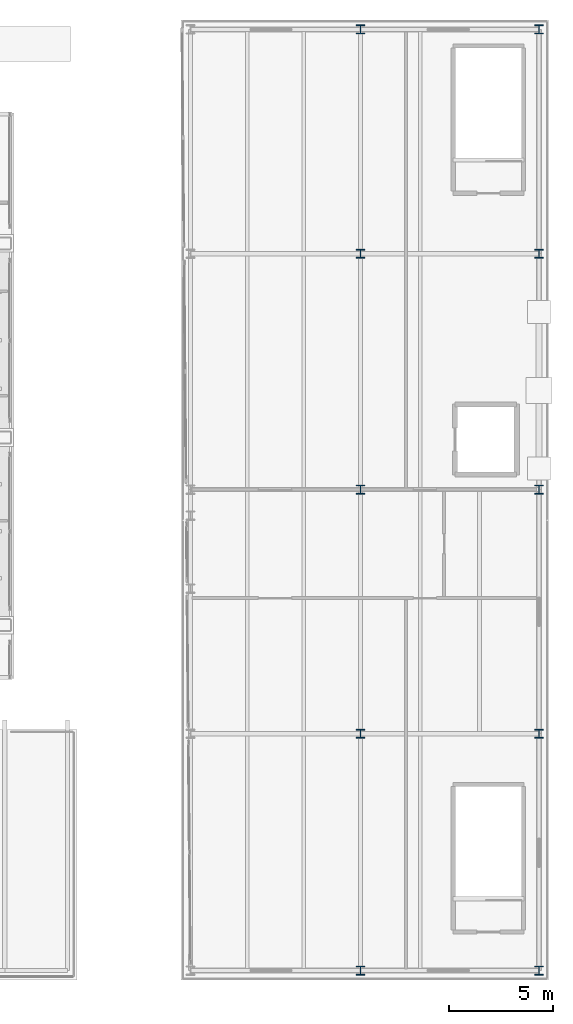
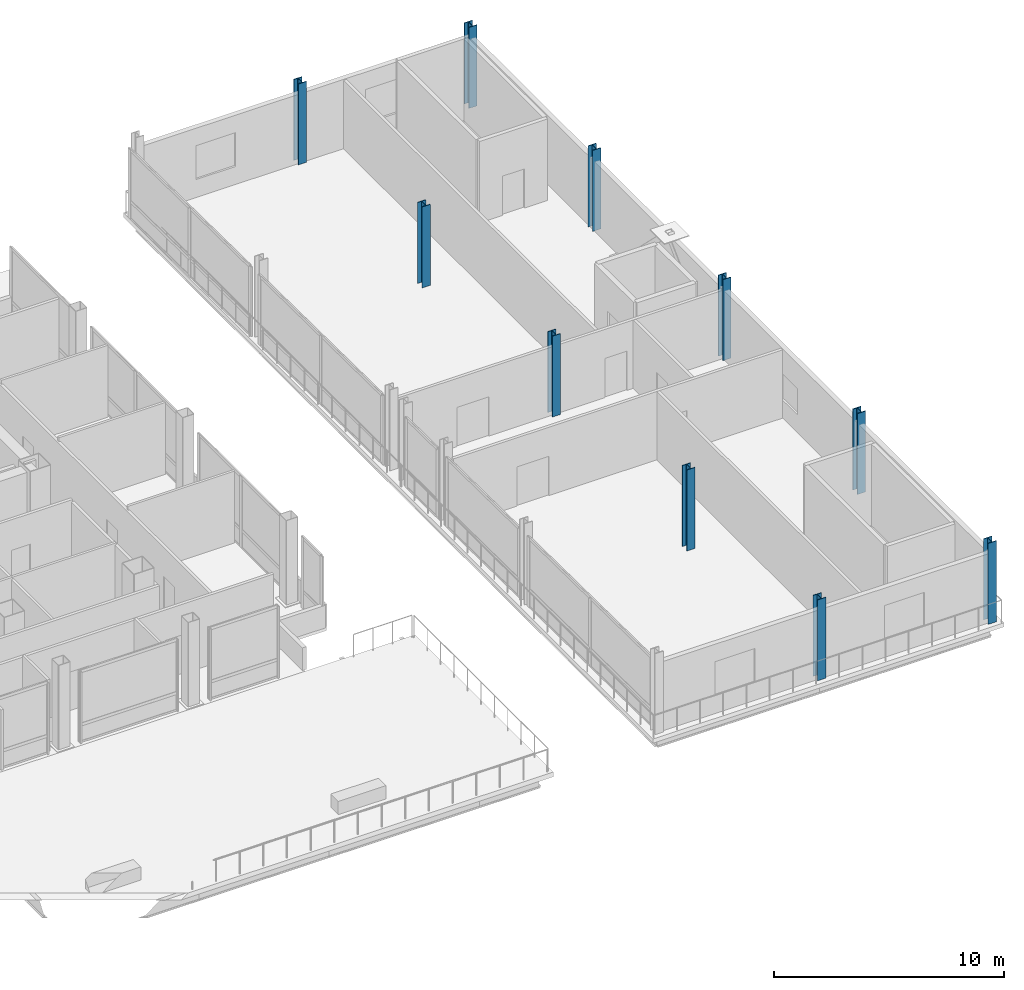
# One storey, part 3 of 34: 10 columns.
"""IFC4 building model written with IfcOpenShell, lengths in metres."""

from ifc_helpers import new_model, si_unit, direction, frame, origin, origin_2d, place, context, subcontext, project, spatial, i_section, extrude, material, material_profile, profile_set, type_object, element, save


model = new_model("IFC4")

# Units and contexts
model_context = context("Model", 3, precision=1e-05, world=origin(), true_north=direction((0.0, 1.0)))
body_context = subcontext(model_context, "Body", "Model", "MODEL_VIEW")
ifc_project = project(units=[si_unit("LENGTHUNIT", "METRE"), si_unit("AREAUNIT", "SQUARE_METRE"), si_unit("VOLUMEUNIT", "CUBIC_METRE"), si_unit("PLANEANGLEUNIT", "RADIAN"), si_unit("MASSUNIT", "GRAM", prefix="KILO")], contexts=[model_context])

# Site, building, storey
site_placement = place(None, origin())
site = spatial("IfcSite", under=ifc_project, at=site_placement, CompositionType="ELEMENT")
building_placement = place(site_placement, origin())
building = spatial("IfcBuilding", under=site, at=building_placement, Name="Noeulbin Bourse Tower", CompositionType="ELEMENT")
storey_placement = place(building_placement, frame((0.0, 0.0, 22.0)))
storey = spatial("IfcBuildingStorey", under=building, at=storey_placement, Name="L05", CompositionType="ELEMENT", Elevation=22.0)

# Columns
ifc_material = material(Name="Steel S355", Category="steel")
ifc_material_profile = material_profile(ifc_material, i_section(OverallWidth=0.406982421875, OverallDepth=0.427978515625, WebThickness=0.02001953125, FlangeThickness=0.034912109375, FilletRadius=0.02197265625, at=origin_2d()), Name="H-428x407x20x35", Category="LoadBearing")
ifc_profile_set = profile_set([ifc_material_profile], Name="Steel S355")
column_type = type_object("IfcColumnType", Name="COL-MKT-ST", PredefinedType="COLUMN", material=ifc_profile_set)
for number, where, z_axis, x_axis, name in (
    (1, (68.60009765625, 3.449951171875, 0.0), (0.0, 0.0, 1.0), (1.0, 0.0, 0.0), "Market Hall Column COL-MKT-ST 08"),
    (2, (68.60009765625, 14.800048828125, 0.0), (0.0, 0.0, 1.0), (1.0, 0.0, 0.0), "Market Hall Column COL-MKT-ST 09"),
    (3, (68.60009765625, 26.5, 0.0), (0.0, 0.0, 1.0), (1.0, 0.0, 0.0), "Market Hall Column COL-MKT-ST 10"),
    (4, (68.60009765625, 37.800048828125, 0.0), (0.0, 0.0, 1.0), (1.0, 0.0, 0.0), "Market Hall Column COL-MKT-ST 11"),
    (5, (68.60009765625, 48.550048828125, 0.0), (0.0, 0.0, 1.0), (1.0, 0.0, 0.0), "Market Hall Column COL-MKT-ST 12"),
    (6, (77.14990234375, 3.449951171875, 0.0), (0.0, 0.0, 1.0), (1.0, 0.0, 0.0), "Market Hall Column COL-MKT-ST 13"),
    (7, (77.14990234375, 14.800048828125, 0.0), (0.0, 0.0, 1.0), (1.0, 0.0, 0.0), "Market Hall Column COL-MKT-ST 14"),
    (8, (77.14990234375, 26.5, 0.0), (0.0, 0.0, 1.0), (1.0, 0.0, 0.0), "Market Hall Column COL-MKT-ST 15"),
    (9, (77.14990234375, 37.800048828125, 0.0), (0.0, 0.0, 1.0), (1.0, 0.0, 0.0), "Market Hall Column COL-MKT-ST 16"),
    (10, (77.14990234375, 48.550048828125, 0.0), (0.0, 0.0, 1.0), (1.0, 0.0, 0.0), "Market Hall Column COL-MKT-ST 17"),
):
    element("IfcColumn", number, at=place(storey_placement, frame(where, z_axis=z_axis, x_axis=x_axis)), inside=storey, type_object=column_type, Name=name, PredefinedType="COLUMN", context=body_context, shape_type="SweptSolid", body=[
        extrude(i_section(OverallWidth=0.406982421875, OverallDepth=0.427978515625, WebThickness=0.02001953125, FlangeThickness=0.034912109375, FilletRadius=0.02197265625, at=origin_2d()), origin(), (0.0, 0.0, 1.0), 4.2900390625),
    ])

save(model, "model.ifc")
